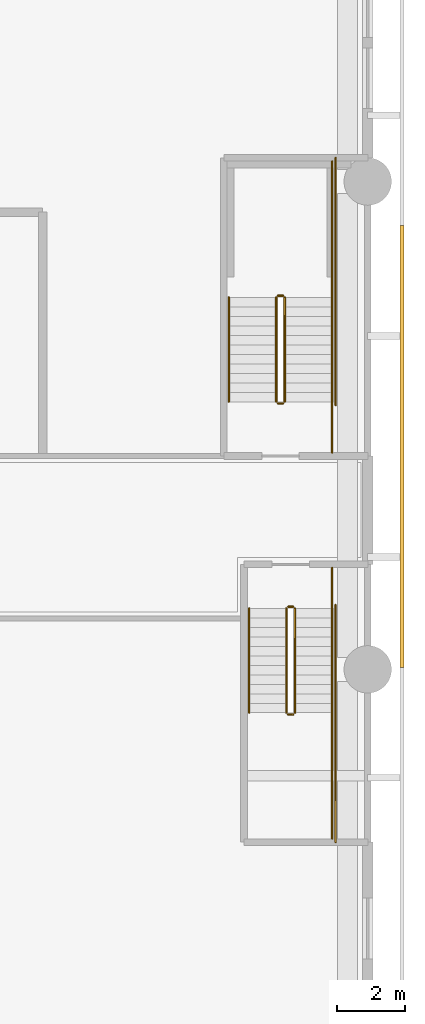
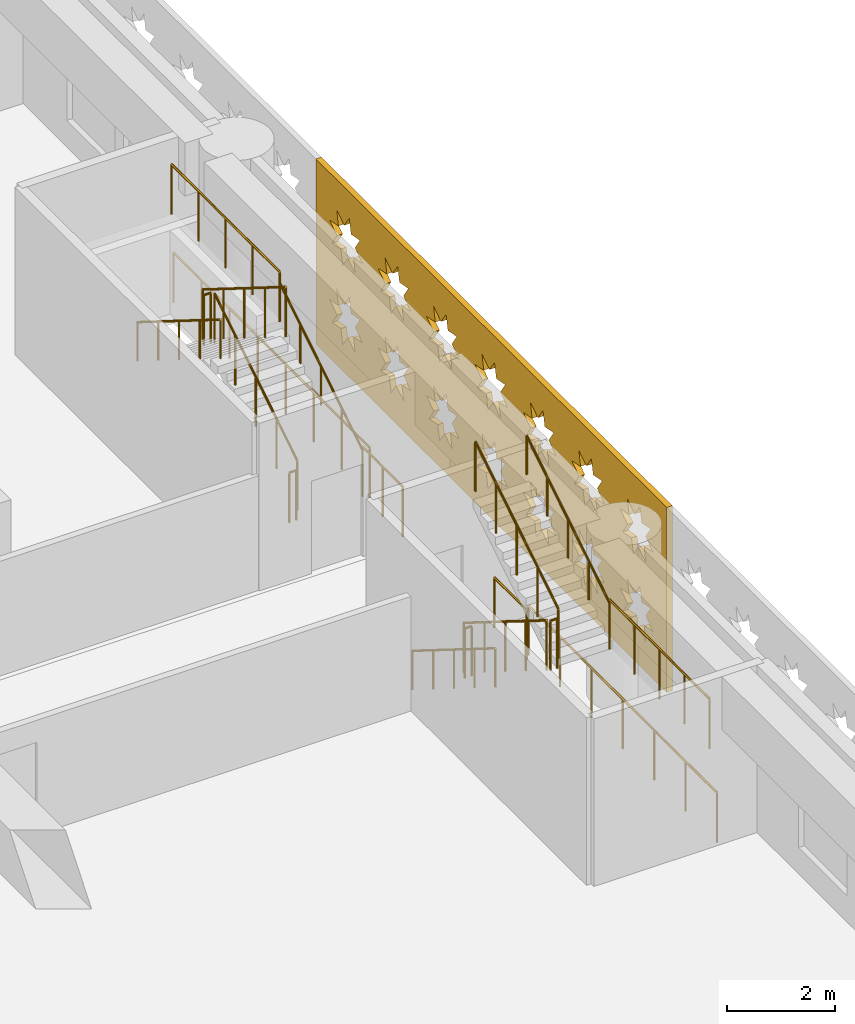
# One storey, part 17 of 23: 18 railings, 1 covering.
"""IFC4 building model written with IfcOpenShell, lengths in metres."""

from ifc_helpers import new_model, si_unit, direction, frame, origin, origin_2d, place, context, subcontext, project, spatial, polyline, circle, outline, extrude, material, layer, layer_set, type_object, element, save


model = new_model("IFC4")

# Units and contexts
model_context = context("Model", 3, precision=1e-05, world=origin(), true_north=direction((0.0, 1.0)))
body_context = subcontext(model_context, "Body", "Model", "MODEL_VIEW")
ifc_project = project(units=[si_unit("LENGTHUNIT", "METRE"), si_unit("AREAUNIT", "SQUARE_METRE"), si_unit("VOLUMEUNIT", "CUBIC_METRE"), si_unit("PLANEANGLEUNIT", "RADIAN"), si_unit("MASSUNIT", "GRAM", prefix="KILO")], contexts=[model_context])

# Site, building, storey
site_placement = place(None, origin())
site = spatial("IfcSite", under=ifc_project, at=site_placement, CompositionType="ELEMENT")
building_placement = place(site_placement, origin())
building = spatial("IfcBuilding", under=site, at=building_placement, Name="Saffron Iwan Residences", CompositionType="ELEMENT")
storey_placement = place(building_placement, frame((0.0, 0.0, 17.39990234375)))
storey = spatial("IfcBuildingStorey", under=building, at=storey_placement, Name="L03", CompositionType="ELEMENT", Elevation=17.39990234375)

# Covering
ifc_material_1 = material(Name="Terracotta screen, precast concrete C40/50", Category="masonry")
ifc_layer = layer(ifc_material_1, 0.1201171875)
ifc_layer_set = layer_set([ifc_layer], Name="Terracotta screen, precast concrete C40/50")
covering_type = type_object("IfcCoveringType", Name="PODIUM SCREEN GIRIH", PredefinedType="CLADDING", material=ifc_layer_set)
covering_placement = place(storey_placement, frame((101.75, 48.06005859375, -0.39990234375), z_axis=(1.0, 0.0, 0.0), x_axis=(0.0, 1.0, 0.0)))
element("IfcCovering", 1, at=covering_placement, inside=storey, type_object=covering_type, Name="SCREEN girih terracotta L03 F1.3", PredefinedType="CLADDING", context=body_context, shape_type="SweptSolid", body=[
    extrude(outline(polyline([(0.0, 0.0), (13.03662109375, 0.0), (13.03662109375, 4.199951171875), (0.0, 4.199951171875), (0.0, 0.0)]), holes=[polyline([(1.726318359375, 1.321044921875), (1.40087890625, 1.388916015625), (1.462890625, 1.715576171875), (1.184814453125, 1.533447265625), (0.997314453125, 1.80810546875), (0.929443359375, 1.482666015625), (0.602783203125, 1.54443359375), (0.784912109375, 1.266357421875), (0.51025390625, 1.0791015625), (0.835693359375, 1.010986328125), (0.77392578125, 0.6845703125), (1.052001953125, 0.866455078125), (1.2392578125, 0.591796875), (1.30712890625, 0.917236328125), (1.6337890625, 0.85546875), (1.451904296875, 1.1337890625), (1.726318359375, 1.321044921875)]), polyline([(1.726318359375, 3.12109375), (1.40087890625, 3.18896484375), (1.462890625, 3.515380859375), (1.184814453125, 3.33349609375), (0.997314453125, 3.608154296875), (0.929443359375, 3.28271484375), (0.602783203125, 3.344482421875), (0.784912109375, 3.06640625), (0.51025390625, 2.87890625), (0.835693359375, 2.81103515625), (0.77392578125, 2.484619140625), (1.052001953125, 2.66650390625), (1.2392578125, 2.391845703125), (1.30712890625, 2.71728515625), (1.6337890625, 2.655517578125), (1.451904296875, 2.93359375), (1.726318359375, 3.12109375)]), polyline([(3.5263671875, 1.321044921875), (3.200927734375, 1.388916015625), (3.2626953125, 1.715576171875), (2.984619140625, 1.533447265625), (2.79736328125, 1.80810546875), (2.7294921875, 1.482666015625), (2.40283203125, 1.54443359375), (2.5849609375, 1.266357421875), (2.310302734375, 1.0791015625), (2.635498046875, 1.010986328125), (2.573974609375, 0.6845703125), (2.85205078125, 0.866455078125), (3.039306640625, 0.591796875), (3.107177734375, 0.917236328125), (3.433837890625, 0.85546875), (3.251708984375, 1.1337890625), (3.5263671875, 1.321044921875)]), polyline([(3.5263671875, 3.12109375), (3.200927734375, 3.18896484375), (3.2626953125, 3.515380859375), (2.984619140625, 3.33349609375), (2.79736328125, 3.608154296875), (2.7294921875, 3.28271484375), (2.40283203125, 3.344482421875), (2.5849609375, 3.06640625), (2.310302734375, 2.87890625), (2.635498046875, 2.81103515625), (2.573974609375, 2.484619140625), (2.85205078125, 2.66650390625), (3.039306640625, 2.391845703125), (3.107177734375, 2.71728515625), (3.433837890625, 2.655517578125), (3.251708984375, 2.93359375), (3.5263671875, 3.12109375)]), polyline([(5.326416015625, 1.321044921875), (5.0009765625, 1.388916015625), (5.062744140625, 1.715576171875), (4.78466796875, 1.533447265625), (4.597412109375, 1.80810546875), (4.529296875, 1.482666015625), (4.202880859375, 1.54443359375), (4.385009765625, 1.266357421875), (4.110107421875, 1.0791015625), (4.435546875, 1.010986328125), (4.373779296875, 0.6845703125), (4.652099609375, 0.866455078125), (4.83935546875, 0.591796875), (4.9072265625, 0.917236328125), (5.23388671875, 0.85546875), (5.0517578125, 1.1337890625), (5.326416015625, 1.321044921875)]), polyline([(5.326416015625, 3.12109375), (5.0009765625, 3.18896484375), (5.062744140625, 3.515380859375), (4.78466796875, 3.33349609375), (4.597412109375, 3.608154296875), (4.529296875, 3.28271484375), (4.202880859375, 3.344482421875), (4.385009765625, 3.06640625), (4.110107421875, 2.87890625), (4.435546875, 2.81103515625), (4.373779296875, 2.484619140625), (4.652099609375, 2.66650390625), (4.83935546875, 2.391845703125), (4.9072265625, 2.71728515625), (5.23388671875, 2.655517578125), (5.0517578125, 2.93359375), (5.326416015625, 3.12109375)]), polyline([(7.12646484375, 1.321044921875), (6.801025390625, 1.388916015625), (6.86279296875, 1.715576171875), (6.584716796875, 1.533447265625), (6.3974609375, 1.80810546875), (6.329345703125, 1.482666015625), (6.002685546875, 1.54443359375), (6.184814453125, 1.266357421875), (5.91015625, 1.0791015625), (6.235595703125, 1.010986328125), (6.173828125, 0.6845703125), (6.451904296875, 0.866455078125), (6.639404296875, 0.591796875), (6.707275390625, 0.917236328125), (7.03369140625, 0.85546875), (6.851806640625, 1.1337890625), (7.12646484375, 1.321044921875)]), polyline([(7.12646484375, 3.12109375), (6.801025390625, 3.18896484375), (6.86279296875, 3.515380859375), (6.584716796875, 3.33349609375), (6.3974609375, 3.608154296875), (6.329345703125, 3.28271484375), (6.002685546875, 3.344482421875), (6.184814453125, 3.06640625), (5.91015625, 2.87890625), (6.235595703125, 2.81103515625), (6.173828125, 2.484619140625), (6.451904296875, 2.66650390625), (6.639404296875, 2.391845703125), (6.707275390625, 2.71728515625), (7.03369140625, 2.655517578125), (6.851806640625, 2.93359375), (7.12646484375, 3.12109375)]), polyline([(8.926513671875, 1.321044921875), (8.60107421875, 1.388916015625), (8.662841796875, 1.715576171875), (8.384765625, 1.533447265625), (8.197509765625, 1.80810546875), (8.12939453125, 1.482666015625), (7.802734375, 1.54443359375), (7.98486328125, 1.266357421875), (7.710205078125, 1.0791015625), (8.03564453125, 1.010986328125), (7.973876953125, 0.6845703125), (8.251953125, 0.866455078125), (8.439208984375, 0.591796875), (8.507080078125, 0.917236328125), (8.833740234375, 0.85546875), (8.65185546875, 1.1337890625), (8.926513671875, 1.321044921875)]), polyline([(8.926513671875, 3.12109375), (8.60107421875, 3.18896484375), (8.662841796875, 3.515380859375), (8.384765625, 3.33349609375), (8.197509765625, 3.608154296875), (8.12939453125, 3.28271484375), (7.802734375, 3.344482421875), (7.98486328125, 3.06640625), (7.710205078125, 2.87890625), (8.03564453125, 2.81103515625), (7.973876953125, 2.484619140625), (8.251953125, 2.66650390625), (8.439208984375, 2.391845703125), (8.507080078125, 2.71728515625), (8.833740234375, 2.655517578125), (8.65185546875, 2.93359375), (8.926513671875, 3.12109375)]), polyline([(10.726318359375, 1.321044921875), (10.40087890625, 1.388916015625), (10.462890625, 1.715576171875), (10.184814453125, 1.533447265625), (9.997314453125, 1.80810546875), (9.929443359375, 1.482666015625), (9.602783203125, 1.54443359375), (9.784912109375, 1.266357421875), (9.51025390625, 1.0791015625), (9.835693359375, 1.010986328125), (9.77392578125, 0.6845703125), (10.052001953125, 0.866455078125), (10.2392578125, 0.591796875), (10.30712890625, 0.917236328125), (10.6337890625, 0.85546875), (10.451904296875, 1.1337890625), (10.726318359375, 1.321044921875)]), polyline([(10.726318359375, 3.12109375), (10.40087890625, 3.18896484375), (10.462890625, 3.515380859375), (10.184814453125, 3.33349609375), (9.997314453125, 3.608154296875), (9.929443359375, 3.28271484375), (9.602783203125, 3.344482421875), (9.784912109375, 3.06640625), (9.51025390625, 2.87890625), (9.835693359375, 2.81103515625), (9.77392578125, 2.484619140625), (10.052001953125, 2.66650390625), (10.2392578125, 2.391845703125), (10.30712890625, 2.71728515625), (10.6337890625, 2.655517578125), (10.451904296875, 2.93359375), (10.726318359375, 3.12109375)]), polyline([(12.5263671875, 1.321044921875), (12.200927734375, 1.388916015625), (12.2626953125, 1.715576171875), (11.984619140625, 1.533447265625), (11.79736328125, 1.80810546875), (11.7294921875, 1.482666015625), (11.40283203125, 1.54443359375), (11.5849609375, 1.266357421875), (11.310302734375, 1.0791015625), (11.635498046875, 1.010986328125), (11.573974609375, 0.6845703125), (11.85205078125, 0.866455078125), (12.039306640625, 0.591796875), (12.107177734375, 0.917236328125), (12.433837890625, 0.85546875), (12.251708984375, 1.1337890625), (12.5263671875, 1.321044921875)]), polyline([(12.5263671875, 3.12109375), (12.200927734375, 3.18896484375), (12.2626953125, 3.515380859375), (11.984619140625, 3.33349609375), (11.79736328125, 3.608154296875), (11.7294921875, 3.28271484375), (11.40283203125, 3.344482421875), (11.5849609375, 3.06640625), (11.310302734375, 2.87890625), (11.635498046875, 2.81103515625), (11.573974609375, 2.484619140625), (11.85205078125, 2.66650390625), (12.039306640625, 2.391845703125), (12.107177734375, 2.71728515625), (12.433837890625, 2.655517578125), (12.251708984375, 2.93359375), (12.5263671875, 3.12109375)])]), origin(), (0.0, 0.0, 1.0), 0.1201171875),
])

# Railings
ifc_material_2 = material(Name="Steel S355", Category="steel")
railing_type_1 = type_object("IfcRailingType", Name="Podium stair guard 1150", PredefinedType="GUARDRAIL", material=ifc_material_2)
railing_1_placement = place(storey_placement, frame((98.39990234375, 49.800048828125, 0.175048828125)))
element("IfcRailing", 2, at=railing_1_placement, inside=storey, type_object=railing_type_1, Name="L03 PS2 stair guard 1", PredefinedType="GUARDRAIL", context=body_context, shape_type="SweptSolid", body=[
    extrude(circle(Radius=0.02392578125, at=origin_2d()), frame((0.0, 0.0, 1.1259765625), z_axis=(0.0, -0.847998304005, 0.529998940003), x_axis=(1.0, 0.0, 0.0)), (0.0, 0.0, 1.0), 3.632080078125),
    extrude(circle(Radius=0.02099609375, at=origin_2d()), origin(), (0.0, 0.0, 1.0), 1.101806640625),
    extrude(circle(Radius=0.02099609375, at=origin_2d()), frame((0.0, -0.77001953125, 0.481201171875)), (0.0, 0.0, 1.0), 1.101806640625),
    extrude(circle(Radius=0.02099609375, at=origin_2d()), frame((0.0, -1.5400390625, 0.96240234375)), (0.0, 0.0, 1.0), 1.101806640625),
    extrude(circle(Radius=0.02099609375, at=origin_2d()), frame((0.0, -2.31005859375, 1.44384765625)), (0.0, 0.0, 1.0), 1.101806640625),
    extrude(circle(Radius=0.02099609375, at=origin_2d()), frame((0.0, -3.080078125, 1.925048828125)), (0.0, 0.0, 1.0), 1.101806640625),
])
railing_2_placement = place(storey_placement, frame((98.449951171875, 46.669921875, 2.10009765625)))
element("IfcRailing", 3, at=railing_2_placement, inside=storey, type_object=railing_type_1, Name="L03 PS2 stair guard 2", PredefinedType="GUARDRAIL", context=body_context, shape_type="SweptSolid", body=[
    extrude(circle(Radius=0.02392578125, at=origin_2d()), frame((0.0, 0.0, 1.1259765625), z_axis=(1.0, 0.0, 0.0), x_axis=(0.0, 1.0, 0.0)), (0.0, 0.0, 1.0), 0.150146484375),
    extrude(circle(Radius=0.02099609375, at=origin_2d()), origin(), (0.0, 0.0, 1.0), 1.101806640625),
    extrude(circle(Radius=0.02099609375, at=origin_2d()), frame((0.150146484375, 0.0, 0.0)), (0.0, 0.0, 1.0), 1.101806640625),
])
railing_3_placement = place(storey_placement, frame((99.75, 46.719970703125, 2.10009765625)))
element("IfcRailing", 4, at=railing_3_placement, inside=storey, type_object=railing_type_1, Name="L03 PS2 stair guard 3", PredefinedType="GUARDRAIL", context=body_context, shape_type="SweptSolid", body=[
    extrude(circle(Radius=0.02392578125, at=origin_2d()), frame((0.0, 0.0, 1.1259765625), z_axis=(0.0, -1.0, 0.0), x_axis=(1.0, 0.0, 0.0)), (0.0, 0.0, 1.0), 3.719970703125),
    extrude(circle(Radius=0.02099609375, at=origin_2d()), origin(), (0.0, 0.0, 1.0), 1.101806640625),
    extrude(circle(Radius=0.02099609375, at=origin_2d()), frame((0.0, -0.929931640625, 0.0)), (0.0, 0.0, 1.0), 1.101806640625),
    extrude(circle(Radius=0.02099609375, at=origin_2d()), frame((0.0, -1.85986328125, 0.0)), (0.0, 0.0, 1.0), 1.101806640625),
    extrude(circle(Radius=0.02099609375, at=origin_2d()), frame((0.0, -2.7900390625, 0.0)), (0.0, 0.0, 1.0), 1.101806640625),
    extrude(circle(Radius=0.02099609375, at=origin_2d()), frame((0.0, -3.719970703125, 0.0)), (0.0, 0.0, 1.0), 1.101806640625),
])
railing_4_placement = place(storey_placement, frame((98.64990234375, 46.719970703125, 2.275146484375)))
element("IfcRailing", 5, at=railing_4_placement, inside=storey, type_object=railing_type_1, Name="L03 PS2 stair guard 4", PredefinedType="GUARDRAIL", context=body_context, shape_type="SweptSolid", body=[
    extrude(circle(Radius=0.02392578125, at=origin_2d()), frame((0.0, 0.0, 1.1259765625), z_axis=(0.0, 0.847998304005, 0.529998940003), x_axis=(-1.0, 0.0, 0.0)), (0.0, 0.0, 1.0), 3.632080078125),
    extrude(circle(Radius=0.02099609375, at=origin_2d()), origin(), (0.0, 0.0, 1.0), 1.101806640625),
    extrude(circle(Radius=0.02099609375, at=origin_2d()), frame((0.0, 0.77001953125, 0.481201171875)), (0.0, 0.0, 1.0), 1.101806640625),
    extrude(circle(Radius=0.02099609375, at=origin_2d()), frame((0.0, 1.5400390625, 0.96240234375)), (0.0, 0.0, 1.0), 1.101806640625),
    extrude(circle(Radius=0.02099609375, at=origin_2d()), frame((0.0, 2.31005859375, 1.44384765625)), (0.0, 0.0, 1.0), 1.101806640625),
    extrude(circle(Radius=0.02099609375, at=origin_2d()), frame((0.0, 3.080078125, 1.925048828125)), (0.0, 0.0, 1.0), 1.101806640625),
])
railing_5_placement = place(storey_placement, frame((98.449951171875, 49.85009765625, 0.0)))
element("IfcRailing", 6, at=railing_5_placement, inside=storey, type_object=railing_type_1, Name="L03 PS2 stair guard 5", PredefinedType="GUARDRAIL", context=body_context, shape_type="SweptSolid", body=[
    extrude(circle(Radius=0.02392578125, at=origin_2d()), frame((0.0, 0.0, 1.1259765625), z_axis=(1.0, 0.0, 0.0), x_axis=(0.0, 1.0, 0.0)), (0.0, 0.0, 1.0), 0.150146484375),
    extrude(circle(Radius=0.02099609375, at=origin_2d()), origin(), (0.0, 0.0, 1.0), 1.101806640625),
    extrude(circle(Radius=0.02099609375, at=origin_2d()), frame((0.150146484375, 0.0, 0.0)), (0.0, 0.0, 1.0), 1.101806640625),
])
railing_6_placement = place(storey_placement, frame((99.75, 51.0, 0.0)))
element("IfcRailing", 7, at=railing_6_placement, inside=storey, type_object=railing_type_1, Name="L03 PS2 stair guard 6", PredefinedType="GUARDRAIL", context=body_context, shape_type="SweptSolid", body=[
    extrude(circle(Radius=0.02392578125, at=origin_2d()), frame((0.0, 0.0, 1.1259765625), z_axis=(0.0, -1.0, 0.0), x_axis=(1.0, 0.0, 0.0)), (0.0, 0.0, 1.0), 1.199951171875),
    extrude(circle(Radius=0.02099609375, at=origin_2d()), origin(), (0.0, 0.0, 1.0), 1.101806640625),
    extrude(circle(Radius=0.02099609375, at=origin_2d()), frame((0.0, -1.199951171875, 0.0)), (0.0, 0.0, 1.0), 1.101806640625),
])
railing_7_placement = place(storey_placement, frame((99.85009765625, 49.89990234375, 0.0)))
element("IfcRailing", 8, at=railing_7_placement, inside=storey, type_object=railing_type_1, Name="L03 PS2 stair guard 7", PredefinedType="GUARDRAIL", context=body_context, shape_type="SweptSolid", body=[
    extrude(circle(Radius=0.02392578125, at=origin_2d()), frame((0.0, 0.0, 1.1259765625), z_axis=(0.0, -1.0, 0.0), x_axis=(1.0, 0.0, 0.0)), (0.0, 0.0, 1.0), 7.0),
    extrude(circle(Radius=0.02099609375, at=origin_2d()), origin(), (0.0, 0.0, 1.0), 1.101806640625),
    extrude(circle(Radius=0.02099609375, at=origin_2d()), frame((0.0, -1.166748046875, 0.0)), (0.0, 0.0, 1.0), 1.101806640625),
    extrude(circle(Radius=0.02099609375, at=origin_2d()), frame((0.0, -2.333251953125, 0.0)), (0.0, 0.0, 1.0), 1.101806640625),
    extrude(circle(Radius=0.02099609375, at=origin_2d()), frame((0.0, -3.5, 0.0)), (0.0, 0.0, 1.0), 1.101806640625),
    extrude(circle(Radius=0.02099609375, at=origin_2d()), frame((0.0, -4.666748046875, 0.0)), (0.0, 0.0, 1.0), 1.101806640625),
    extrude(circle(Radius=0.02099609375, at=origin_2d()), frame((0.0, -5.833251953125, 0.0)), (0.0, 0.0, 1.0), 1.101806640625),
    extrude(circle(Radius=0.02099609375, at=origin_2d()), frame((0.0, -7.0, 0.0)), (0.0, 0.0, 1.0), 1.101806640625),
])
railing_8_placement = place(storey_placement, frame((98.35009765625, 55.89990234375, 0.175048828125)))
element("IfcRailing", 9, at=railing_8_placement, inside=storey, type_object=railing_type_1, Name="L03 PS4 stair guard 1", PredefinedType="GUARDRAIL", context=body_context, shape_type="SweptSolid", body=[
    extrude(circle(Radius=0.02392578125, at=origin_2d()), frame((0.0, 0.0, 1.1259765625), z_axis=(0.0, 0.847998304005, 0.529998940003), x_axis=(-1.0, 0.0, 0.0)), (0.0, 0.0, 1.0), 3.632080078125),
    extrude(circle(Radius=0.02099609375, at=origin_2d()), origin(), (0.0, 0.0, 1.0), 1.101806640625),
    extrude(circle(Radius=0.02099609375, at=origin_2d()), frame((0.0, 0.77001953125, 0.481201171875)), (0.0, 0.0, 1.0), 1.101806640625),
    extrude(circle(Radius=0.02099609375, at=origin_2d()), frame((0.0, 1.5400390625, 0.96240234375)), (0.0, 0.0, 1.0), 1.101806640625),
    extrude(circle(Radius=0.02099609375, at=origin_2d()), frame((0.0, 2.31005859375, 1.44384765625)), (0.0, 0.0, 1.0), 1.101806640625),
    extrude(circle(Radius=0.02099609375, at=origin_2d()), frame((0.0, 3.080078125, 1.925048828125)), (0.0, 0.0, 1.0), 1.101806640625),
])
railing_9_placement = place(storey_placement, frame((98.300048828125, 59.030029296875, 2.10009765625)))
element("IfcRailing", 10, at=railing_9_placement, inside=storey, type_object=railing_type_1, Name="L03 PS4 stair guard 2", PredefinedType="GUARDRAIL", context=body_context, shape_type="SweptSolid", body=[
    extrude(circle(Radius=0.02392578125, at=origin_2d()), frame((0.0, 0.0, 1.1259765625), z_axis=(-1.0, 0.0, 0.0), x_axis=(0.0, -1.0, 0.0)), (0.0, 0.0, 1.0), 0.150146484375),
    extrude(circle(Radius=0.02099609375, at=origin_2d()), origin(), (0.0, 0.0, 1.0), 1.101806640625),
    extrude(circle(Radius=0.02099609375, at=origin_2d()), frame((-0.150146484375, 0.0, 0.0)), (0.0, 0.0, 1.0), 1.101806640625),
])
railing_10_placement = place(storey_placement, frame((99.75, 58.97998046875, 2.10009765625)))
element("IfcRailing", 11, at=railing_10_placement, inside=storey, type_object=railing_type_1, Name="L03 PS4 stair guard 3", PredefinedType="GUARDRAIL", context=body_context, shape_type="SweptSolid", body=[
    extrude(circle(Radius=0.02392578125, at=origin_2d()), frame((0.0, 0.0, 1.1259765625), z_axis=(0.0, 1.0, 0.0), x_axis=(-1.0, 0.0, 0.0)), (0.0, 0.0, 1.0), 4.02001953125),
    extrude(circle(Radius=0.02099609375, at=origin_2d()), origin(), (0.0, 0.0, 1.0), 1.101806640625),
    extrude(circle(Radius=0.02099609375, at=origin_2d()), frame((0.0, 1.0048828125, 0.0)), (0.0, 0.0, 1.0), 1.101806640625),
    extrude(circle(Radius=0.02099609375, at=origin_2d()), frame((0.0, 2.010009765625, 0.0)), (0.0, 0.0, 1.0), 1.101806640625),
    extrude(circle(Radius=0.02099609375, at=origin_2d()), frame((0.0, 3.01513671875, 0.0)), (0.0, 0.0, 1.0), 1.101806640625),
    extrude(circle(Radius=0.02099609375, at=origin_2d()), frame((0.0, 4.02001953125, 0.0)), (0.0, 0.0, 1.0), 1.101806640625),
])
railing_11_placement = place(storey_placement, frame((98.10009765625, 58.97998046875, 2.275146484375)))
element("IfcRailing", 12, at=railing_11_placement, inside=storey, type_object=railing_type_1, Name="L03 PS4 stair guard 4", PredefinedType="GUARDRAIL", context=body_context, shape_type="SweptSolid", body=[
    extrude(circle(Radius=0.02392578125, at=origin_2d()), frame((0.0, 0.0, 1.1259765625), z_axis=(0.0, -0.847998304005, 0.529998940003), x_axis=(1.0, 0.0, 0.0)), (0.0, 0.0, 1.0), 3.632080078125),
    extrude(circle(Radius=0.02099609375, at=origin_2d()), origin(), (0.0, 0.0, 1.0), 1.101806640625),
    extrude(circle(Radius=0.02099609375, at=origin_2d()), frame((0.0, -0.77001953125, 0.481201171875)), (0.0, 0.0, 1.0), 1.101806640625),
    extrude(circle(Radius=0.02099609375, at=origin_2d()), frame((0.0, -1.5400390625, 0.96240234375)), (0.0, 0.0, 1.0), 1.101806640625),
    extrude(circle(Radius=0.02099609375, at=origin_2d()), frame((0.0, -2.31005859375, 1.44384765625)), (0.0, 0.0, 1.0), 1.101806640625),
    extrude(circle(Radius=0.02099609375, at=origin_2d()), frame((0.0, -3.080078125, 1.925048828125)), (0.0, 0.0, 1.0), 1.101806640625),
])
railing_12_placement = place(storey_placement, frame((98.300048828125, 55.85009765625, 0.0)))
element("IfcRailing", 13, at=railing_12_placement, inside=storey, type_object=railing_type_1, Name="L03 PS4 stair guard 5", PredefinedType="GUARDRAIL", context=body_context, shape_type="SweptSolid", body=[
    extrude(circle(Radius=0.02392578125, at=origin_2d()), frame((0.0, 0.0, 1.1259765625), z_axis=(-1.0, 0.0, 0.0), x_axis=(0.0, -1.0, 0.0)), (0.0, 0.0, 1.0), 0.150146484375),
    extrude(circle(Radius=0.02099609375, at=origin_2d()), origin(), (0.0, 0.0, 1.0), 1.101806640625),
    extrude(circle(Radius=0.02099609375, at=origin_2d()), frame((-0.150146484375, 0.0, 0.0)), (0.0, 0.0, 1.0), 1.101806640625),
])
railing_13_placement = place(storey_placement, frame((99.75, 54.39990234375, 0.0)))
element("IfcRailing", 14, at=railing_13_placement, inside=storey, type_object=railing_type_1, Name="L03 PS4 stair guard 6", PredefinedType="GUARDRAIL", context=body_context, shape_type="SweptSolid", body=[
    extrude(circle(Radius=0.02392578125, at=origin_2d()), frame((0.0, 0.0, 1.1259765625), z_axis=(0.0, 1.0, 0.0), x_axis=(-1.0, 0.0, 0.0)), (0.0, 0.0, 1.0), 1.5),
    extrude(circle(Radius=0.02099609375, at=origin_2d()), origin(), (0.0, 0.0, 1.0), 1.101806640625),
    extrude(circle(Radius=0.02099609375, at=origin_2d()), frame((0.0, 0.75, 0.0)), (0.0, 0.0, 1.0), 1.101806640625),
    extrude(circle(Radius=0.02099609375, at=origin_2d()), frame((0.0, 1.5, 0.0)), (0.0, 0.0, 1.0), 1.101806640625),
])
railing_14_placement = place(storey_placement, frame((99.85009765625, 55.800048828125, 0.0)))
element("IfcRailing", 15, at=railing_14_placement, inside=storey, type_object=railing_type_1, Name="L03 PS4 stair guard 7", PredefinedType="GUARDRAIL", context=body_context, shape_type="SweptSolid", body=[
    extrude(circle(Radius=0.02392578125, at=origin_2d()), frame((0.0, 0.0, 1.1259765625), z_axis=(0.0, 1.0, 0.0), x_axis=(-1.0, 0.0, 0.0)), (0.0, 0.0, 1.0), 7.300048828125),
    extrude(circle(Radius=0.02099609375, at=origin_2d()), origin(), (0.0, 0.0, 1.0), 1.101806640625),
    extrude(circle(Radius=0.02099609375, at=origin_2d()), frame((0.0, 1.04296875, 0.0)), (0.0, 0.0, 1.0), 1.101806640625),
    extrude(circle(Radius=0.02099609375, at=origin_2d()), frame((0.0, 2.085693359375, 0.0)), (0.0, 0.0, 1.0), 1.101806640625),
    extrude(circle(Radius=0.02099609375, at=origin_2d()), frame((0.0, 3.128662109375, 0.0)), (0.0, 0.0, 1.0), 1.101806640625),
    extrude(circle(Radius=0.02099609375, at=origin_2d()), frame((0.0, 4.17138671875, 0.0)), (0.0, 0.0, 1.0), 1.101806640625),
    extrude(circle(Radius=0.02099609375, at=origin_2d()), frame((0.0, 5.21435546875, 0.0)), (0.0, 0.0, 1.0), 1.101806640625),
    extrude(circle(Radius=0.02099609375, at=origin_2d()), frame((0.0, 6.257080078125, 0.0)), (0.0, 0.0, 1.0), 1.101806640625),
    extrude(circle(Radius=0.02099609375, at=origin_2d()), frame((0.0, 7.300048828125, 0.0)), (0.0, 0.0, 1.0), 1.101806640625),
])
railing_type_2 = type_object("IfcRailingType", Name="Podium stair handrail 900", PredefinedType="HANDRAIL", material=ifc_material_2)
railing_15_placement = place(storey_placement, frame((97.300048828125, 49.800048828125, 0.175048828125)))
element("IfcRailing", 16, at=railing_15_placement, inside=storey, type_object=railing_type_2, Name="L03 PS2 stair handrail 1", PredefinedType="HANDRAIL", context=body_context, shape_type="SweptSolid", body=[
    extrude(circle(Radius=0.02392578125, at=origin_2d()), frame((0.0, 0.0, 0.8759765625), z_axis=(0.0, -0.847998304005, 0.529998940003), x_axis=(1.0, 0.0, 0.0)), (0.0, 0.0, 1.0), 3.632080078125),
    extrude(circle(Radius=0.02099609375, at=origin_2d()), origin(), (0.0, 0.0, 1.0), 0.851806640625),
    extrude(circle(Radius=0.02099609375, at=origin_2d()), frame((0.0, -0.77001953125, 0.481201171875)), (0.0, 0.0, 1.0), 0.851806640625),
    extrude(circle(Radius=0.02099609375, at=origin_2d()), frame((0.0, -1.5400390625, 0.96240234375)), (0.0, 0.0, 1.0), 0.851806640625),
    extrude(circle(Radius=0.02099609375, at=origin_2d()), frame((0.0, -2.31005859375, 1.44384765625)), (0.0, 0.0, 1.0), 0.851806640625),
    extrude(circle(Radius=0.02099609375, at=origin_2d()), frame((0.0, -3.080078125, 1.925048828125)), (0.0, 0.0, 1.0), 0.851806640625),
])
for number, where, name in (
    (17, (99.75, 46.719970703125, 2.275146484375), "L03 PS2 stair handrail 2"),
    (18, (99.75, 55.89990234375, 0.175048828125), "L03 PS4 stair handrail 1"),
):
    element("IfcRailing", number, at=place(storey_placement, frame(where)), inside=storey, type_object=railing_type_2, Name=name, PredefinedType="HANDRAIL", context=body_context, shape_type="SweptSolid", body=[
        extrude(circle(Radius=0.02392578125, at=origin_2d()), frame((0.0, 0.0, 0.8759765625), z_axis=(0.0, 0.847998304005, 0.529998940003), x_axis=(-1.0, 0.0, 0.0)), (0.0, 0.0, 1.0), 3.632080078125),
        extrude(circle(Radius=0.02099609375, at=origin_2d()), origin(), (0.0, 0.0, 1.0), 0.851806640625),
        extrude(circle(Radius=0.02099609375, at=origin_2d()), frame((0.0, 0.77001953125, 0.481201171875)), (0.0, 0.0, 1.0), 0.851806640625),
        extrude(circle(Radius=0.02099609375, at=origin_2d()), frame((0.0, 1.5400390625, 0.96240234375)), (0.0, 0.0, 1.0), 0.851806640625),
        extrude(circle(Radius=0.02099609375, at=origin_2d()), frame((0.0, 2.31005859375, 1.44384765625)), (0.0, 0.0, 1.0), 0.851806640625),
        extrude(circle(Radius=0.02099609375, at=origin_2d()), frame((0.0, 3.080078125, 1.925048828125)), (0.0, 0.0, 1.0), 0.851806640625),
    ])
railing_16_placement = place(storey_placement, frame((96.699951171875, 58.97998046875, 2.275146484375)))
element("IfcRailing", 19, at=railing_16_placement, inside=storey, type_object=railing_type_2, Name="L03 PS4 stair handrail 2", PredefinedType="HANDRAIL", context=body_context, shape_type="SweptSolid", body=[
    extrude(circle(Radius=0.02392578125, at=origin_2d()), frame((0.0, 0.0, 0.8759765625), z_axis=(0.0, -0.847998304005, 0.529998940003), x_axis=(1.0, 0.0, 0.0)), (0.0, 0.0, 1.0), 3.632080078125),
    extrude(circle(Radius=0.02099609375, at=origin_2d()), origin(), (0.0, 0.0, 1.0), 0.851806640625),
    extrude(circle(Radius=0.02099609375, at=origin_2d()), frame((0.0, -0.77001953125, 0.481201171875)), (0.0, 0.0, 1.0), 0.851806640625),
    extrude(circle(Radius=0.02099609375, at=origin_2d()), frame((0.0, -1.5400390625, 0.96240234375)), (0.0, 0.0, 1.0), 0.851806640625),
    extrude(circle(Radius=0.02099609375, at=origin_2d()), frame((0.0, -2.31005859375, 1.44384765625)), (0.0, 0.0, 1.0), 0.851806640625),
    extrude(circle(Radius=0.02099609375, at=origin_2d()), frame((0.0, -3.080078125, 1.925048828125)), (0.0, 0.0, 1.0), 0.851806640625),
])

save(model, "model.ifc")
